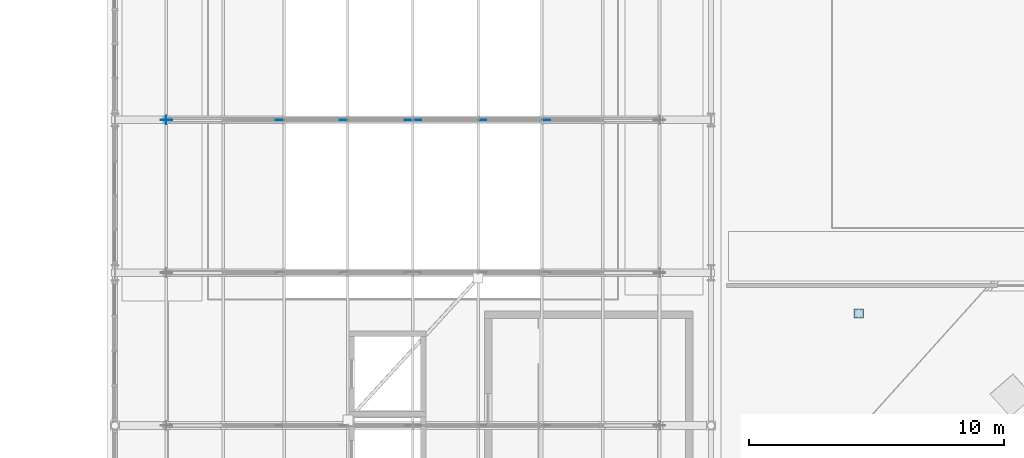
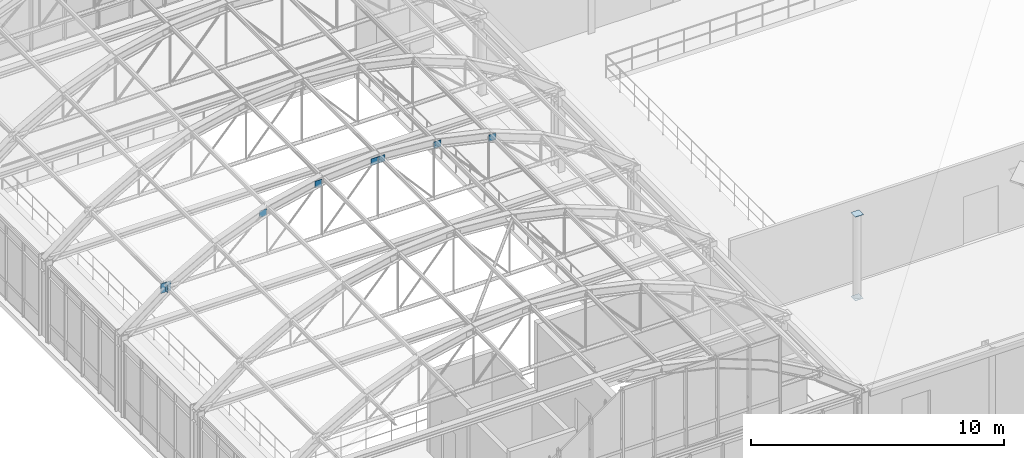
# One storey, part 115 of 148: 10 plates.
"""IFC4 building model written with IfcOpenShell, lengths in metres."""

from ifc_helpers import new_model, si_unit, direction, frame, origin, origin_2d, place, context, subcontext, project, spatial, rectangle, extrude, material, layer, layer_set, type_object, element, save


model = new_model("IFC4")

# Units and contexts
model_context = context("Model", 3, precision=1e-05, world=origin(), true_north=direction((0.0, 1.0)))
body_context = subcontext(model_context, "Body", "Model", "MODEL_VIEW")
ifc_project = project(units=[si_unit("LENGTHUNIT", "METRE"), si_unit("AREAUNIT", "SQUARE_METRE"), si_unit("VOLUMEUNIT", "CUBIC_METRE"), si_unit("PLANEANGLEUNIT", "RADIAN"), si_unit("MASSUNIT", "GRAM", prefix="KILO"), si_unit("THERMODYNAMICTEMPERATUREUNIT", "KELVIN"), si_unit("POWERUNIT", "WATT")], contexts=[model_context])

# Site, building, storey
site_placement = place(None, origin())
site = spatial("IfcSite", under=ifc_project, at=site_placement, CompositionType="ELEMENT")
building_placement = place(site_placement, origin())
building = spatial("IfcBuilding", under=site, at=building_placement, Name="Solvatero Civic Police Headquarters", CompositionType="ELEMENT")
storey_placement = place(building_placement, frame((0.0, 0.0, 5.10009765625)))
storey = spatial("IfcBuildingStorey", under=building, at=storey_placement, Name="L01", CompositionType="ELEMENT", Elevation=5.10009765625)

# Plates
ifc_material = material(Name="Steel S355", Category="steel")
ifc_layer_1 = layer(ifc_material, 0.02001953125)
ifc_layer_set_1 = layer_set([ifc_layer_1], Name="Steel S355")
plate_type_1 = type_object("IfcPlateType", Name="PLT-CAP-20", PredefinedType="SHEET", material=ifc_layer_set_1)
for number, where, z_axis, x_axis, name in (
    (1, (128.0, 15.199951171875, 4.019775390625), (0.0, 0.0, 1.0), (1.0, 0.0, 0.0), "Hollow Section End Cap Plate 0073"),
    (2, (128.0, 15.199951171875, -0.02001953125), (0.0, 0.0, 1.0), (1.0, 0.0, 0.0), "Hollow Section End Cap Plate 0074"),
):
    element("IfcPlate", number, at=place(storey_placement, frame(where, z_axis=z_axis, x_axis=x_axis)), inside=storey, type_object=plate_type_1, Name=name, PredefinedType="SHEET", context=body_context, shape_type="SweptSolid", body=[
        extrude(rectangle(XDim=0.364013671875, YDim=0.364013671875, at=origin_2d()), origin(), (0.0, 0.0, 1.0), 0.02001953125),
    ])
plate_1_placement = place(storey_placement, frame((100.8125, 22.800048828125, 5.2216796875), z_axis=(0.0, 0.0, 1.0), x_axis=(1.0, 0.0, 0.0)))
element("IfcPlate", 3, at=plate_1_placement, inside=storey, type_object=plate_type_1, Name="Hollow Section End Cap Plate 0157", PredefinedType="SHEET", context=body_context, shape_type="SweptSolid", body=[
    extrude(rectangle(XDim=0.02001953125, YDim=0.340087890625, at=origin_2d()), origin(), (0.0, 0.0, 1.0), 0.340087890625),
])
ifc_layer_2 = layer(ifc_material, 0.02001953125)
ifc_layer_set_2 = layer_set([ifc_layer_2], Name="Steel S355")
plate_type_2 = type_object("IfcPlateType", Name="PLT-GUS-16", PredefinedType="SHEET", material=ifc_layer_set_2)
for number, where, z_axis, x_axis, name in (
    (4, (105.267333984375, 22.800048828125, 7.24951171875), (0.0, 0.0, 1.0), (1.0, 0.0, 0.0), "VLT1 Vault Diagonal Gusset F4.2"),
    (5, (107.783203125, 22.800048828125, 7.79345703125), (0.0, 0.0, 1.0), (1.0, 0.0, 0.0), "VLT1 Vault Diagonal Gusset F4.3"),
    (6, (110.34228515625, 22.800048828125, 7.97802734375), (0.0, 0.0, 1.0), (1.0, 0.0, 0.0), "VLT1 Vault Diagonal Gusset F4.4"),
    (7, (110.65771484375, 22.800048828125, 7.97802734375), (0.0, 0.0, 1.0), (1.0, 0.0, 0.0), "VLT1 Vault Diagonal Gusset F4.5"),
    (8, (113.216796875, 22.800048828125, 7.79345703125), (0.0, 0.0, 1.0), (1.0, 0.0, 0.0), "VLT1 Vault Diagonal Gusset F4.6"),
    (9, (115.732666015625, 22.800048828125, 7.24951171875), (0.0, 0.0, 1.0), (1.0, 0.0, 0.0), "VLT1 Vault Diagonal Gusset F4.7"),
):
    element("IfcPlate", number, at=place(storey_placement, frame(where, z_axis=z_axis, x_axis=x_axis)), inside=storey, type_object=plate_type_2, Name=name, PredefinedType="SHEET", context=body_context, shape_type="SweptSolid", body=[
        extrude(rectangle(XDim=0.320068359375, YDim=0.02001953125, at=origin_2d()), origin(), (0.0, 0.0, 1.0), 0.320068359375),
    ])
ifc_layer_3 = layer(ifc_material, 0.02490234375)
ifc_layer_set_3 = layer_set([ifc_layer_3], Name="Steel S355")
plate_type_3 = type_object("IfcPlateType", Name="PLT-GUS-20", PredefinedType="SHEET", material=ifc_layer_set_3)
plate_2_placement = place(storey_placement, frame((100.822509765625, 22.800048828125, 5.16162109375), z_axis=(0.0, 0.0, 1.0), x_axis=(1.0, 0.0, 0.0)))
element("IfcPlate", 10, at=plate_2_placement, inside=storey, type_object=plate_type_3, Name="VLT1 Haunch Gusset W F4", PredefinedType="SHEET", context=body_context, shape_type="SweptSolid", body=[
    extrude(rectangle(XDim=0.4599609375, YDim=0.02490234375, at=origin_2d()), origin(), (0.0, 0.0, 1.0), 0.4599609375),
])

save(model, "model.ifc")
